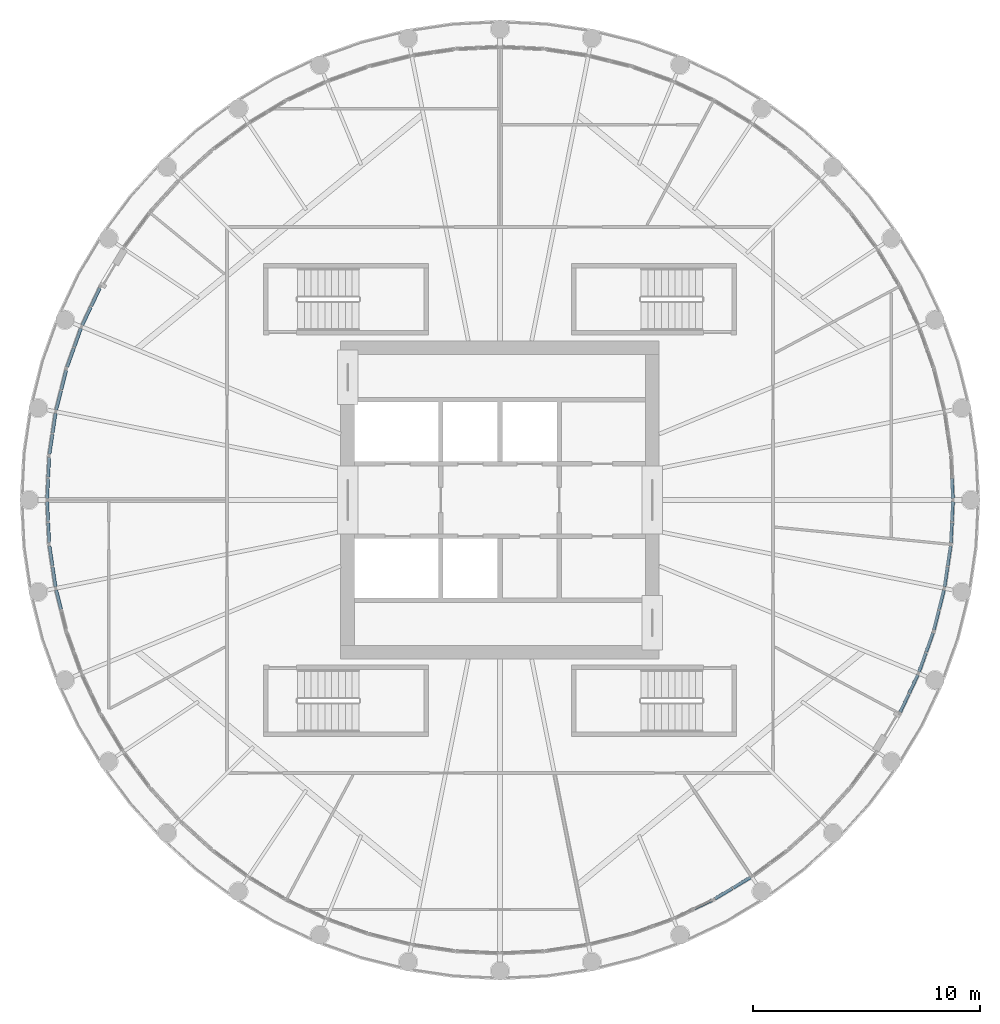
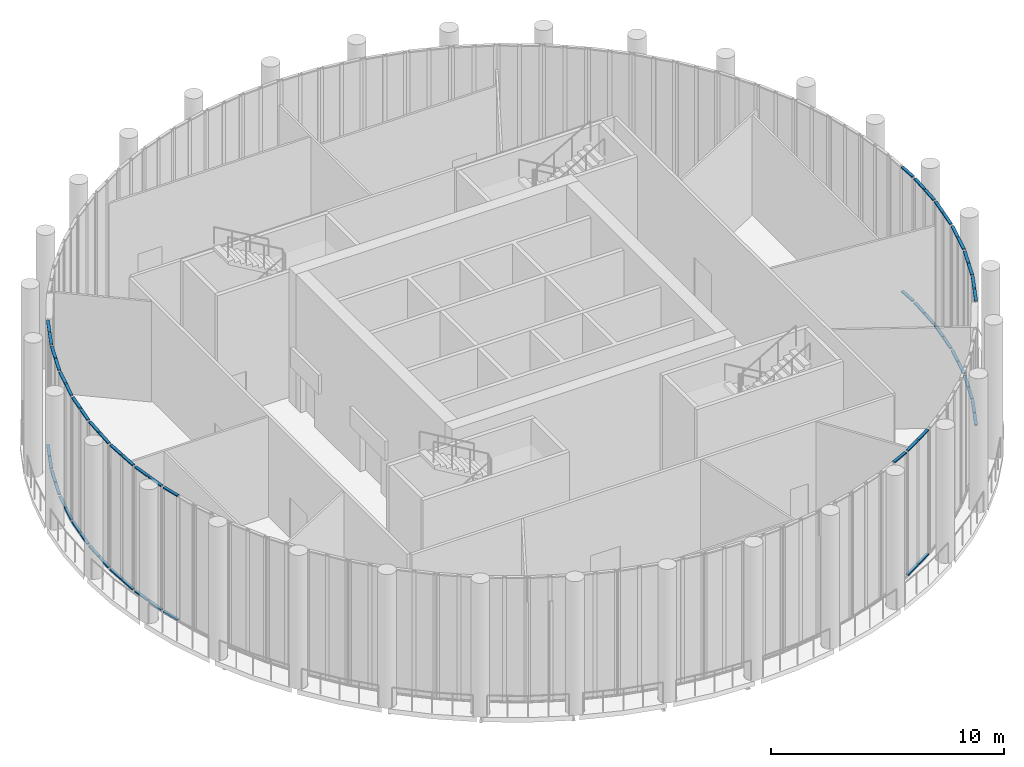
# One storey, part 10 of 21: 57 members, 16 elements without a shape of their own.
"""IFC4 building model written with IfcOpenShell, lengths in metres."""

from ifc_helpers import new_model, si_unit, direction, frame, origin, origin_2d, place, context, subcontext, project, spatial, rectangle, extrude, material, material_profile, profile_set, type_object, element, aggregate, save


model = new_model("IFC4")

# Units and contexts
model_context = context("Model", 3, precision=1e-05, world=origin(), true_north=direction((0.0, 1.0)))
body_context = subcontext(model_context, "Body", "Model", "MODEL_VIEW")
ifc_project = project(units=[si_unit("LENGTHUNIT", "METRE"), si_unit("AREAUNIT", "SQUARE_METRE"), si_unit("VOLUMEUNIT", "CUBIC_METRE"), si_unit("PLANEANGLEUNIT", "RADIAN"), si_unit("MASSUNIT", "GRAM", prefix="KILO")], contexts=[model_context])

# Site, building, storey
site_placement = place(None, origin())
site = spatial("IfcSite", under=ifc_project, at=site_placement, CompositionType="ELEMENT")
building_placement = place(site_placement, origin())
building = spatial("IfcBuilding", under=site, at=building_placement, Name="Corvane Civic Tower", CompositionType="ELEMENT")
storey_placement = place(building_placement, frame((0.0, 0.0, 380.5)))
storey = spatial("IfcBuildingStorey", under=building, at=storey_placement, Name="L91", CompositionType="ELEMENT", Elevation=380.5)

# Curtain wall, members
ifc_material_1 = material(Name="Aluminium and glass", Category="aluminium")
curtain_wall_type = type_object("IfcCurtainWallType", Name="CROWN-CW-O-RUN", PredefinedType="NOTDEFINED", material=ifc_material_1)
curtain_wall_1_placement = place(storey_placement, origin())
curtain_wall_1 = element("IfcCurtainWall", 1, at=curtain_wall_1_placement, inside=storey, type_object=curtain_wall_type, Name="CW-O run L91 12", PredefinedType="NOTDEFINED")
ifc_material_2 = material(Name="Anodised aluminium bronze", Category="aluminium")
ifc_material_profile = material_profile(ifc_material_2, rectangle(XDim=0.139892578125, YDim=0.06005859375, at=origin_2d()), Name="AL 140x60")
ifc_profile_set = profile_set([ifc_material_profile], Name="Anodised aluminium bronze")
member_type = type_object("IfcMemberType", Name="CROWN-CWO-TRANSOM-60x140", PredefinedType="USERDEFINED", material=ifc_profile_set)
member_1_placement = place(storey_placement, frame((-17.59130859375, 9.317138671875, 0.030029296875), z_axis=(-0.427604470333, -0.903965937938, 0.0), x_axis=(0.903965937938, -0.427604470333, 0.0)))
member_1 = element("IfcMember", 2, at=member_1_placement, type_object=member_type, Name="CW-O transom 1.1", ObjectType="TRANSOM", PredefinedType="USERDEFINED", context=body_context, shape_type="SweptSolid", body=[
    extrude(rectangle(XDim=0.139892578125, YDim=0.06005859375, at=origin_2d()), origin(), (0.0, 0.0, 1.0), 0.871337890625),
])
member_2_placement = place(storey_placement, frame((-17.59130859375, 9.317138671875, 6.52001953125), z_axis=(-0.427604470333, -0.903965937938, 0.0), x_axis=(0.903965937938, -0.427604470333, 0.0)))
member_2 = element("IfcMember", 3, at=member_2_placement, type_object=member_type, Name="CW-O transom 1.2", ObjectType="TRANSOM", PredefinedType="USERDEFINED", context=body_context, shape_type="SweptSolid", body=[
    extrude(rectangle(XDim=0.139892578125, YDim=0.06005859375, at=origin_2d()), origin(), (0.0, 0.0, 1.0), 0.871337890625),
])
member_3_placement = place(storey_placement, frame((-17.989501953125, 8.47509765625, 0.030029296875), z_axis=(-0.427604470333, -0.903965937938, 0.0), x_axis=(0.903965937938, -0.427604470333, 0.0)))
member_3 = element("IfcMember", 4, at=member_3_placement, type_object=member_type, Name="CW-O transom 2.1", ObjectType="TRANSOM", PredefinedType="USERDEFINED", context=body_context, shape_type="SweptSolid", body=[
    extrude(rectangle(XDim=0.139892578125, YDim=0.06005859375, at=origin_2d()), origin(), (0.0, 0.0, 1.0), 0.871337890625),
])
member_4_placement = place(storey_placement, frame((-17.989501953125, 8.47509765625, 6.52001953125), z_axis=(-0.427604470333, -0.903965937938, 0.0), x_axis=(0.903965937938, -0.427604470333, 0.0)))
member_4 = element("IfcMember", 5, at=member_4_placement, type_object=member_type, Name="CW-O transom 2.2", ObjectType="TRANSOM", PredefinedType="USERDEFINED", context=body_context, shape_type="SweptSolid", body=[
    extrude(rectangle(XDim=0.139892578125, YDim=0.06005859375, at=origin_2d()), origin(), (0.0, 0.0, 1.0), 0.871337890625),
])
aggregate(curtain_wall_1, [member_1, member_2, member_3, member_4])

curtain_wall_2_placement = place(storey_placement, origin())
curtain_wall_2 = element("IfcCurtainWall", 6, at=curtain_wall_2_placement, inside=storey, type_object=curtain_wall_type, Name="CW-O run L91 13", PredefinedType="NOTDEFINED")
member_5_placement = place(storey_placement, frame((-18.419677734375, 7.5478515625, 0.030029296875), z_axis=(-0.337081803775, -0.941475362165, 0.0), x_axis=(0.941475362165, -0.337081803775, 0.0)))
member_5 = element("IfcMember", 7, at=member_5_placement, type_object=member_type, Name="CW-O transom 1.1", ObjectType="TRANSOM", PredefinedType="USERDEFINED", context=body_context, shape_type="SweptSolid", body=[
    extrude(rectangle(XDim=0.139892578125, YDim=0.06005859375, at=origin_2d()), origin(), (0.0, 0.0, 1.0), 0.871337890625),
])
member_6_placement = place(storey_placement, frame((-18.419677734375, 7.5478515625, 6.52001953125), z_axis=(-0.337081803775, -0.941475362165, 0.0), x_axis=(0.941475362165, -0.337081803775, 0.0)))
member_6 = element("IfcMember", 8, at=member_6_placement, type_object=member_type, Name="CW-O transom 1.2", ObjectType="TRANSOM", PredefinedType="USERDEFINED", context=body_context, shape_type="SweptSolid", body=[
    extrude(rectangle(XDim=0.139892578125, YDim=0.06005859375, at=origin_2d()), origin(), (0.0, 0.0, 1.0), 0.871337890625),
])
member_7_placement = place(storey_placement, frame((-18.733642578125, 6.671142578125, 0.030029296875), z_axis=(-0.336744552913, -0.94159604188, 0.0), x_axis=(0.94159604188, -0.336744552913, 0.0)))
member_7 = element("IfcMember", 9, at=member_7_placement, type_object=member_type, Name="CW-O transom 2.1", ObjectType="TRANSOM", PredefinedType="USERDEFINED", context=body_context, shape_type="SweptSolid", body=[
    extrude(rectangle(XDim=0.139892578125, YDim=0.06005859375, at=origin_2d()), origin(), (0.0, 0.0, 1.0), 0.871337890625),
])
member_8_placement = place(storey_placement, frame((-18.733642578125, 6.671142578125, 6.52001953125), z_axis=(-0.336744552913, -0.94159604188, 0.0), x_axis=(0.94159604188, -0.336744552913, 0.0)))
member_8 = element("IfcMember", 10, at=member_8_placement, type_object=member_type, Name="CW-O transom 2.2", ObjectType="TRANSOM", PredefinedType="USERDEFINED", context=body_context, shape_type="SweptSolid", body=[
    extrude(rectangle(XDim=0.139892578125, YDim=0.06005859375, at=origin_2d()), origin(), (0.0, 0.0, 1.0), 0.871337890625),
])
aggregate(curtain_wall_2, [member_5, member_6, member_7, member_8])

curtain_wall_3_placement = place(storey_placement, origin())
curtain_wall_3 = element("IfcCurtainWall", 11, at=curtain_wall_3_placement, inside=storey, type_object=curtain_wall_type, Name="CW-O run L91 14", PredefinedType="NOTDEFINED")
member_9_placement = place(storey_placement, frame((-19.071044921875, 5.706298828125, 0.030029296875), z_axis=(-0.242931177727, -0.970043526285, 0.0), x_axis=(0.970043526285, -0.242931177727, 0.0)))
member_9 = element("IfcMember", 12, at=member_9_placement, type_object=member_type, Name="CW-O transom 1.1", ObjectType="TRANSOM", PredefinedType="USERDEFINED", context=body_context, shape_type="SweptSolid", body=[
    extrude(rectangle(XDim=0.139892578125, YDim=0.06005859375, at=origin_2d()), origin(), (0.0, 0.0, 1.0), 0.871337890625),
])
member_10_placement = place(storey_placement, frame((-19.071044921875, 5.706298828125, 6.52001953125), z_axis=(-0.242931177727, -0.970043526285, 0.0), x_axis=(0.970043526285, -0.242931177727, 0.0)))
member_10 = element("IfcMember", 13, at=member_10_placement, type_object=member_type, Name="CW-O transom 1.2", ObjectType="TRANSOM", PredefinedType="USERDEFINED", context=body_context, shape_type="SweptSolid", body=[
    extrude(rectangle(XDim=0.139892578125, YDim=0.06005859375, at=origin_2d()), origin(), (0.0, 0.0, 1.0), 0.871337890625),
])
member_11_placement = place(storey_placement, frame((-19.29736328125, 4.802734375, 0.030029296875), z_axis=(-0.242931177727, -0.970043526285, 0.0), x_axis=(0.970043526285, -0.242931177727, 0.0)))
member_11 = element("IfcMember", 14, at=member_11_placement, type_object=member_type, Name="CW-O transom 2.1", ObjectType="TRANSOM", PredefinedType="USERDEFINED", context=body_context, shape_type="SweptSolid", body=[
    extrude(rectangle(XDim=0.139892578125, YDim=0.06005859375, at=origin_2d()), origin(), (0.0, 0.0, 1.0), 0.871337890625),
])
member_12_placement = place(storey_placement, frame((-19.29736328125, 4.802734375, 6.52001953125), z_axis=(-0.242931177727, -0.970043526285, 0.0), x_axis=(0.970043526285, -0.242931177727, 0.0)))
member_12 = element("IfcMember", 15, at=member_12_placement, type_object=member_type, Name="CW-O transom 2.2", ObjectType="TRANSOM", PredefinedType="USERDEFINED", context=body_context, shape_type="SweptSolid", body=[
    extrude(rectangle(XDim=0.139892578125, YDim=0.06005859375, at=origin_2d()), origin(), (0.0, 0.0, 1.0), 0.871337890625),
])
aggregate(curtain_wall_3, [member_9, member_10, member_11, member_12])

curtain_wall_4_placement = place(storey_placement, origin())
curtain_wall_4 = element("IfcCurtainWall", 16, at=curtain_wall_4_placement, inside=storey, type_object=curtain_wall_type, Name="CW-O run L91 15", PredefinedType="NOTDEFINED")
member_13_placement = place(storey_placement, frame((-19.538330078125, 3.8095703125, 0.030029296875), z_axis=(-0.146792320314, -0.989167334022, 0.0), x_axis=(0.989167334022, -0.146792320314, 0.0)))
member_13 = element("IfcMember", 17, at=member_13_placement, type_object=member_type, Name="CW-O transom 1.1", ObjectType="TRANSOM", PredefinedType="USERDEFINED", context=body_context, shape_type="SweptSolid", body=[
    extrude(rectangle(XDim=0.139892578125, YDim=0.06005859375, at=origin_2d()), origin(), (0.0, 0.0, 1.0), 0.87158203125),
])
member_14_placement = place(storey_placement, frame((-19.538330078125, 3.8095703125, 6.52001953125), z_axis=(-0.146792320314, -0.989167334022, 0.0), x_axis=(0.989167334022, -0.146792320314, 0.0)))
member_14 = element("IfcMember", 18, at=member_14_placement, type_object=member_type, Name="CW-O transom 1.2", ObjectType="TRANSOM", PredefinedType="USERDEFINED", context=body_context, shape_type="SweptSolid", body=[
    extrude(rectangle(XDim=0.139892578125, YDim=0.06005859375, at=origin_2d()), origin(), (0.0, 0.0, 1.0), 0.87158203125),
])
member_15_placement = place(storey_placement, frame((-19.675048828125, 2.88818359375, 0.030029296875), z_axis=(-0.146833008112, -0.989161295103, 0.0), x_axis=(0.989161295103, -0.146833008112, 0.0)))
member_15 = element("IfcMember", 19, at=member_15_placement, type_object=member_type, Name="CW-O transom 2.1", ObjectType="TRANSOM", PredefinedType="USERDEFINED", context=body_context, shape_type="SweptSolid", body=[
    extrude(rectangle(XDim=0.139892578125, YDim=0.06005859375, at=origin_2d()), origin(), (0.0, 0.0, 1.0), 0.871337890625),
])
member_16_placement = place(storey_placement, frame((-19.675048828125, 2.88818359375, 6.52001953125), z_axis=(-0.146833008112, -0.989161295103, 0.0), x_axis=(0.989161295103, -0.146833008112, 0.0)))
member_16 = element("IfcMember", 20, at=member_16_placement, type_object=member_type, Name="CW-O transom 2.2", ObjectType="TRANSOM", PredefinedType="USERDEFINED", context=body_context, shape_type="SweptSolid", body=[
    extrude(rectangle(XDim=0.139892578125, YDim=0.06005859375, at=origin_2d()), origin(), (0.0, 0.0, 1.0), 0.871337890625),
])
aggregate(curtain_wall_4, [member_13, member_14, member_15, member_16])

curtain_wall_5_placement = place(storey_placement, origin())
curtain_wall_5 = element("IfcCurtainWall", 21, at=curtain_wall_5_placement, inside=storey, type_object=curtain_wall_type, Name="CW-O run L91 16", PredefinedType="NOTDEFINED")
member_17_placement = place(storey_placement, frame((-19.81787109375, 1.876220703125, 0.030029296875), z_axis=(-0.04902932242, -0.998797339575, 0.0), x_axis=(0.998797339575, -0.04902932242, 0.0)))
member_17 = element("IfcMember", 22, at=member_17_placement, type_object=member_type, Name="CW-O transom 1.1", ObjectType="TRANSOM", PredefinedType="USERDEFINED", context=body_context, shape_type="SweptSolid", body=[
    extrude(rectangle(XDim=0.139892578125, YDim=0.06005859375, at=origin_2d()), origin(), (0.0, 0.0, 1.0), 0.871337890625),
])
member_18_placement = place(storey_placement, frame((-19.81787109375, 1.876220703125, 6.52001953125), z_axis=(-0.04902932242, -0.998797339575, 0.0), x_axis=(0.998797339575, -0.04902932242, 0.0)))
member_18 = element("IfcMember", 23, at=member_18_placement, type_object=member_type, Name="CW-O transom 1.2", ObjectType="TRANSOM", PredefinedType="USERDEFINED", context=body_context, shape_type="SweptSolid", body=[
    extrude(rectangle(XDim=0.139892578125, YDim=0.06005859375, at=origin_2d()), origin(), (0.0, 0.0, 1.0), 0.871337890625),
])
member_19_placement = place(storey_placement, frame((-19.863525390625, 0.94580078125, 0.030029296875), z_axis=(-0.04902932242, -0.998797339575, 0.0), x_axis=(0.998797339575, -0.04902932242, 0.0)))
member_19 = element("IfcMember", 24, at=member_19_placement, type_object=member_type, Name="CW-O transom 2.1", ObjectType="TRANSOM", PredefinedType="USERDEFINED", context=body_context, shape_type="SweptSolid", body=[
    extrude(rectangle(XDim=0.139892578125, YDim=0.06005859375, at=origin_2d()), origin(), (0.0, 0.0, 1.0), 0.871337890625),
])
member_20_placement = place(storey_placement, frame((-19.863525390625, 0.94580078125, 6.52001953125), z_axis=(-0.04902932242, -0.998797339575, 0.0), x_axis=(0.998797339575, -0.04902932242, 0.0)))
member_20 = element("IfcMember", 25, at=member_20_placement, type_object=member_type, Name="CW-O transom 2.2", ObjectType="TRANSOM", PredefinedType="USERDEFINED", context=body_context, shape_type="SweptSolid", body=[
    extrude(rectangle(XDim=0.139892578125, YDim=0.06005859375, at=origin_2d()), origin(), (0.0, 0.0, 1.0), 0.871337890625),
])
aggregate(curtain_wall_5, [member_17, member_18, member_19, member_20])

curtain_wall_6_placement = place(storey_placement, origin())
curtain_wall_6 = element("IfcCurtainWall", 26, at=curtain_wall_6_placement, inside=storey, type_object=curtain_wall_type, Name="CW-O run L91 17", PredefinedType="NOTDEFINED")
member_21_placement = place(storey_placement, frame((-19.90625, -0.075439453125, 0.030029296875), z_axis=(0.04902932242, -0.998797339575, 0.0), x_axis=(0.998797339575, 0.04902932242, 0.0)))
member_21 = element("IfcMember", 27, at=member_21_placement, type_object=member_type, Name="CW-O transom 1.1", ObjectType="TRANSOM", PredefinedType="USERDEFINED", context=body_context, shape_type="SweptSolid", body=[
    extrude(rectangle(XDim=0.139892578125, YDim=0.06005859375, at=origin_2d()), origin(), (0.0, 0.0, 1.0), 0.871337890625),
])
member_22_placement = place(storey_placement, frame((-19.90625, -0.075439453125, 6.52001953125), z_axis=(0.04902932242, -0.998797339575, 0.0), x_axis=(0.998797339575, 0.04902932242, 0.0)))
member_22 = element("IfcMember", 28, at=member_22_placement, type_object=member_type, Name="CW-O transom 1.2", ObjectType="TRANSOM", PredefinedType="USERDEFINED", context=body_context, shape_type="SweptSolid", body=[
    extrude(rectangle(XDim=0.139892578125, YDim=0.06005859375, at=origin_2d()), origin(), (0.0, 0.0, 1.0), 0.871337890625),
])
member_23_placement = place(storey_placement, frame((-19.860595703125, -1.005859375, 0.030029296875), z_axis=(0.04902932242, -0.998797339575, 0.0), x_axis=(0.998797339575, 0.04902932242, 0.0)))
member_23 = element("IfcMember", 29, at=member_23_placement, type_object=member_type, Name="CW-O transom 2.1", ObjectType="TRANSOM", PredefinedType="USERDEFINED", context=body_context, shape_type="SweptSolid", body=[
    extrude(rectangle(XDim=0.139892578125, YDim=0.06005859375, at=origin_2d()), origin(), (0.0, 0.0, 1.0), 0.871337890625),
])
member_24_placement = place(storey_placement, frame((-19.860595703125, -1.005859375, 6.52001953125), z_axis=(0.04902932242, -0.998797339575, 0.0), x_axis=(0.998797339575, 0.04902932242, 0.0)))
member_24 = element("IfcMember", 30, at=member_24_placement, type_object=member_type, Name="CW-O transom 2.2", ObjectType="TRANSOM", PredefinedType="USERDEFINED", context=body_context, shape_type="SweptSolid", body=[
    extrude(rectangle(XDim=0.139892578125, YDim=0.06005859375, at=origin_2d()), origin(), (0.0, 0.0, 1.0), 0.871337890625),
])
aggregate(curtain_wall_6, [member_21, member_22, member_23, member_24])

curtain_wall_7_placement = place(storey_placement, origin())
curtain_wall_7 = element("IfcCurtainWall", 31, at=curtain_wall_7_placement, inside=storey, type_object=curtain_wall_type, Name="CW-O run L91 18", PredefinedType="NOTDEFINED")
member_25_placement = place(storey_placement, frame((-19.802978515625, -2.0263671875, 0.030029296875), z_axis=(0.146833008112, -0.989161295103, 0.0), x_axis=(0.989161295103, 0.146833008112, 0.0)))
member_25 = element("IfcMember", 32, at=member_25_placement, type_object=member_type, Name="CW-O transom 1.1", ObjectType="TRANSOM", PredefinedType="USERDEFINED", context=body_context, shape_type="SweptSolid", body=[
    extrude(rectangle(XDim=0.139892578125, YDim=0.06005859375, at=origin_2d()), origin(), (0.0, 0.0, 1.0), 0.871337890625),
])
member_26_placement = place(storey_placement, frame((-19.802978515625, -2.0263671875, 6.52001953125), z_axis=(0.146833008112, -0.989161295103, 0.0), x_axis=(0.989161295103, 0.146833008112, 0.0)))
member_26 = element("IfcMember", 33, at=member_26_placement, type_object=member_type, Name="CW-O transom 1.2", ObjectType="TRANSOM", PredefinedType="USERDEFINED", context=body_context, shape_type="SweptSolid", body=[
    extrude(rectangle(XDim=0.139892578125, YDim=0.06005859375, at=origin_2d()), origin(), (0.0, 0.0, 1.0), 0.871337890625),
])
member_27_placement = place(storey_placement, frame((-19.666259765625, -2.947509765625, 0.030029296875), z_axis=(0.146792320314, -0.989167334022, 0.0), x_axis=(0.989167334022, 0.146792320314, 0.0)))
member_27 = element("IfcMember", 34, at=member_27_placement, type_object=member_type, Name="CW-O transom 2.1", ObjectType="TRANSOM", PredefinedType="USERDEFINED", context=body_context, shape_type="SweptSolid", body=[
    extrude(rectangle(XDim=0.139892578125, YDim=0.06005859375, at=origin_2d()), origin(), (0.0, 0.0, 1.0), 0.87158203125),
])
member_28_placement = place(storey_placement, frame((-19.666259765625, -2.947509765625, 6.52001953125), z_axis=(0.146792320314, -0.989167334022, 0.0), x_axis=(0.989167334022, 0.146792320314, 0.0)))
member_28 = element("IfcMember", 35, at=member_28_placement, type_object=member_type, Name="CW-O transom 2.2", ObjectType="TRANSOM", PredefinedType="USERDEFINED", context=body_context, shape_type="SweptSolid", body=[
    extrude(rectangle(XDim=0.139892578125, YDim=0.06005859375, at=origin_2d()), origin(), (0.0, 0.0, 1.0), 0.87158203125),
])
aggregate(curtain_wall_7, [member_25, member_26, member_27, member_28])

curtain_wall_8_placement = place(storey_placement, origin())
curtain_wall_8 = element("IfcCurtainWall", 36, at=curtain_wall_8_placement, inside=storey, type_object=curtain_wall_type, Name="CW-O run L91 19", PredefinedType="NOTDEFINED")
member_29_placement = place(storey_placement, frame((-19.509033203125, -3.95751953125, 0.030029296875), z_axis=(0.242931177727, -0.970043526285, 0.0), x_axis=(0.970043526285, 0.242931177727, 0.0)))
member_29 = element("IfcMember", 37, at=member_29_placement, type_object=member_type, Name="CW-O transom 1.1", ObjectType="TRANSOM", PredefinedType="USERDEFINED", context=body_context, shape_type="SweptSolid", body=[
    extrude(rectangle(XDim=0.139892578125, YDim=0.06005859375, at=origin_2d()), origin(), (0.0, 0.0, 1.0), 0.871337890625),
])
member_30_placement = place(storey_placement, frame((-19.509033203125, -3.95751953125, 6.52001953125), z_axis=(0.242931177727, -0.970043526285, 0.0), x_axis=(0.970043526285, 0.242931177727, 0.0)))
member_30 = element("IfcMember", 38, at=member_30_placement, type_object=member_type, Name="CW-O transom 1.2", ObjectType="TRANSOM", PredefinedType="USERDEFINED", context=body_context, shape_type="SweptSolid", body=[
    extrude(rectangle(XDim=0.139892578125, YDim=0.06005859375, at=origin_2d()), origin(), (0.0, 0.0, 1.0), 0.871337890625),
])
aggregate(curtain_wall_8, [member_29, member_30])

# Curtain wall, member
curtain_wall_9_placement = place(storey_placement, origin())
curtain_wall_9 = element("IfcCurtainWall", 39, at=curtain_wall_9_placement, inside=storey, type_object=curtain_wall_type, Name="CW-O run L91 37", PredefinedType="NOTDEFINED")
member_31_placement = place(storey_placement, frame((8.529541015625, -17.9638671875, 6.52001953125), z_axis=(0.903965937938, 0.427604470333, 0.0), x_axis=(-0.427604470333, 0.903965937938, 0.0)))
member_31 = element("IfcMember", 40, at=member_31_placement, type_object=member_type, Name="CW-O transom 2.2", ObjectType="TRANSOM", PredefinedType="USERDEFINED", context=body_context, shape_type="SweptSolid", body=[
    extrude(rectangle(XDim=0.139892578125, YDim=0.06005859375, at=origin_2d()), origin(), (0.0, 0.0, 1.0), 0.871337890625),
])
aggregate(curtain_wall_9, [member_31])

# Curtain wall, members
curtain_wall_10_placement = place(storey_placement, origin())
curtain_wall_10 = element("IfcCurtainWall", 41, at=curtain_wall_10_placement, inside=storey, type_object=curtain_wall_type, Name="CW-O run L91 38", PredefinedType="NOTDEFINED")
member_32_placement = place(storey_placement, frame((9.450439453125, -17.520263671875, 0.030029296875), z_axis=(0.857690650227, 0.514166070946, 0.0), x_axis=(-0.514166070946, 0.857690650227, 0.0)))
member_32 = element("IfcMember", 42, at=member_32_placement, type_object=member_type, Name="CW-O transom 1.1", ObjectType="TRANSOM", PredefinedType="USERDEFINED", context=body_context, shape_type="SweptSolid", body=[
    extrude(rectangle(XDim=0.139892578125, YDim=0.06005859375, at=origin_2d()), origin(), (0.0, 0.0, 1.0), 0.871337890625),
])
member_33_placement = place(storey_placement, frame((9.450439453125, -17.520263671875, 6.52001953125), z_axis=(0.857690650227, 0.514166070946, 0.0), x_axis=(-0.514166070946, 0.857690650227, 0.0)))
member_33 = element("IfcMember", 43, at=member_33_placement, type_object=member_type, Name="CW-O transom 1.2", ObjectType="TRANSOM", PredefinedType="USERDEFINED", context=body_context, shape_type="SweptSolid", body=[
    extrude(rectangle(XDim=0.139892578125, YDim=0.06005859375, at=origin_2d()), origin(), (0.0, 0.0, 1.0), 0.871337890625),
])
member_34_placement = place(storey_placement, frame((10.2490234375, -17.041259765625, 0.030029296875), z_axis=(0.857690650227, 0.514166070946, 0.0), x_axis=(-0.514166070946, 0.857690650227, 0.0)))
member_34 = element("IfcMember", 44, at=member_34_placement, type_object=member_type, Name="CW-O transom 2.1", ObjectType="TRANSOM", PredefinedType="USERDEFINED", context=body_context, shape_type="SweptSolid", body=[
    extrude(rectangle(XDim=0.139892578125, YDim=0.06005859375, at=origin_2d()), origin(), (0.0, 0.0, 1.0), 0.871337890625),
])
member_35_placement = place(storey_placement, frame((10.2490234375, -17.041259765625, 6.52001953125), z_axis=(0.857690650227, 0.514166070946, 0.0), x_axis=(-0.514166070946, 0.857690650227, 0.0)))
member_35 = element("IfcMember", 45, at=member_35_placement, type_object=member_type, Name="CW-O transom 2.2", ObjectType="TRANSOM", PredefinedType="USERDEFINED", context=body_context, shape_type="SweptSolid", body=[
    extrude(rectangle(XDim=0.139892578125, YDim=0.06005859375, at=origin_2d()), origin(), (0.0, 0.0, 1.0), 0.871337890625),
])
aggregate(curtain_wall_10, [member_32, member_33, member_34, member_35])

curtain_wall_11_placement = place(storey_placement, origin())
curtain_wall_11 = element("IfcCurtainWall", 46, at=curtain_wall_11_placement, inside=storey, type_object=curtain_wall_type, Name="CW-O run L91 44", PredefinedType="NOTDEFINED")
member_36_placement = place(storey_placement, frame((17.59130859375, -9.317138671875, 0.030029296875), z_axis=(0.427604470333, 0.903965937938, 0.0), x_axis=(-0.903965937938, 0.427604470333, 0.0)))
member_36 = element("IfcMember", 47, at=member_36_placement, type_object=member_type, Name="CW-O transom 1.1", ObjectType="TRANSOM", PredefinedType="USERDEFINED", context=body_context, shape_type="SweptSolid", body=[
    extrude(rectangle(XDim=0.139892578125, YDim=0.06005859375, at=origin_2d()), origin(), (0.0, 0.0, 1.0), 0.871337890625),
])
member_37_placement = place(storey_placement, frame((17.59130859375, -9.317138671875, 6.52001953125), z_axis=(0.427604470333, 0.903965937938, 0.0), x_axis=(-0.903965937938, 0.427604470333, 0.0)))
member_37 = element("IfcMember", 48, at=member_37_placement, type_object=member_type, Name="CW-O transom 1.2", ObjectType="TRANSOM", PredefinedType="USERDEFINED", context=body_context, shape_type="SweptSolid", body=[
    extrude(rectangle(XDim=0.139892578125, YDim=0.06005859375, at=origin_2d()), origin(), (0.0, 0.0, 1.0), 0.871337890625),
])
member_38_placement = place(storey_placement, frame((17.989501953125, -8.47509765625, 0.030029296875), z_axis=(0.427604470333, 0.903965937938, 0.0), x_axis=(-0.903965937938, 0.427604470333, 0.0)))
member_38 = element("IfcMember", 49, at=member_38_placement, type_object=member_type, Name="CW-O transom 2.1", ObjectType="TRANSOM", PredefinedType="USERDEFINED", context=body_context, shape_type="SweptSolid", body=[
    extrude(rectangle(XDim=0.139892578125, YDim=0.06005859375, at=origin_2d()), origin(), (0.0, 0.0, 1.0), 0.871337890625),
])
member_39_placement = place(storey_placement, frame((17.989501953125, -8.47509765625, 6.52001953125), z_axis=(0.427604470333, 0.903965937938, 0.0), x_axis=(-0.903965937938, 0.427604470333, 0.0)))
member_39 = element("IfcMember", 50, at=member_39_placement, type_object=member_type, Name="CW-O transom 2.2", ObjectType="TRANSOM", PredefinedType="USERDEFINED", context=body_context, shape_type="SweptSolid", body=[
    extrude(rectangle(XDim=0.139892578125, YDim=0.06005859375, at=origin_2d()), origin(), (0.0, 0.0, 1.0), 0.871337890625),
])
aggregate(curtain_wall_11, [member_36, member_37, member_38, member_39])

curtain_wall_12_placement = place(storey_placement, origin())
curtain_wall_12 = element("IfcCurtainWall", 51, at=curtain_wall_12_placement, inside=storey, type_object=curtain_wall_type, Name="CW-O run L91 45", PredefinedType="NOTDEFINED")
member_40_placement = place(storey_placement, frame((18.419677734375, -7.5478515625, 0.030029296875), z_axis=(0.337081803775, 0.941475362165, 0.0), x_axis=(-0.941475362165, 0.337081803775, 0.0)))
member_40 = element("IfcMember", 52, at=member_40_placement, type_object=member_type, Name="CW-O transom 1.1", ObjectType="TRANSOM", PredefinedType="USERDEFINED", context=body_context, shape_type="SweptSolid", body=[
    extrude(rectangle(XDim=0.139892578125, YDim=0.06005859375, at=origin_2d()), origin(), (0.0, 0.0, 1.0), 0.871337890625),
])
member_41_placement = place(storey_placement, frame((18.419677734375, -7.5478515625, 6.52001953125), z_axis=(0.337081803775, 0.941475362165, 0.0), x_axis=(-0.941475362165, 0.337081803775, 0.0)))
member_41 = element("IfcMember", 53, at=member_41_placement, type_object=member_type, Name="CW-O transom 1.2", ObjectType="TRANSOM", PredefinedType="USERDEFINED", context=body_context, shape_type="SweptSolid", body=[
    extrude(rectangle(XDim=0.139892578125, YDim=0.06005859375, at=origin_2d()), origin(), (0.0, 0.0, 1.0), 0.871337890625),
])
member_42_placement = place(storey_placement, frame((18.733642578125, -6.671142578125, 0.030029296875), z_axis=(0.336744552913, 0.94159604188, 0.0), x_axis=(-0.94159604188, 0.336744552913, 0.0)))
member_42 = element("IfcMember", 54, at=member_42_placement, type_object=member_type, Name="CW-O transom 2.1", ObjectType="TRANSOM", PredefinedType="USERDEFINED", context=body_context, shape_type="SweptSolid", body=[
    extrude(rectangle(XDim=0.139892578125, YDim=0.06005859375, at=origin_2d()), origin(), (0.0, 0.0, 1.0), 0.871337890625),
])
member_43_placement = place(storey_placement, frame((18.733642578125, -6.671142578125, 6.52001953125), z_axis=(0.336744552913, 0.94159604188, 0.0), x_axis=(-0.94159604188, 0.336744552913, 0.0)))
member_43 = element("IfcMember", 55, at=member_43_placement, type_object=member_type, Name="CW-O transom 2.2", ObjectType="TRANSOM", PredefinedType="USERDEFINED", context=body_context, shape_type="SweptSolid", body=[
    extrude(rectangle(XDim=0.139892578125, YDim=0.06005859375, at=origin_2d()), origin(), (0.0, 0.0, 1.0), 0.871337890625),
])
aggregate(curtain_wall_12, [member_40, member_41, member_42, member_43])

curtain_wall_13_placement = place(storey_placement, origin())
curtain_wall_13 = element("IfcCurtainWall", 56, at=curtain_wall_13_placement, inside=storey, type_object=curtain_wall_type, Name="CW-O run L91 46", PredefinedType="NOTDEFINED")
member_44_placement = place(storey_placement, frame((19.071044921875, -5.706298828125, 0.030029296875), z_axis=(0.242931177727, 0.970043526285, 0.0), x_axis=(-0.970043526285, 0.242931177727, 0.0)))
member_44 = element("IfcMember", 57, at=member_44_placement, type_object=member_type, Name="CW-O transom 1.1", ObjectType="TRANSOM", PredefinedType="USERDEFINED", context=body_context, shape_type="SweptSolid", body=[
    extrude(rectangle(XDim=0.139892578125, YDim=0.06005859375, at=origin_2d()), origin(), (0.0, 0.0, 1.0), 0.871337890625),
])
member_45_placement = place(storey_placement, frame((19.071044921875, -5.706298828125, 6.52001953125), z_axis=(0.242931177727, 0.970043526285, 0.0), x_axis=(-0.970043526285, 0.242931177727, 0.0)))
member_45 = element("IfcMember", 58, at=member_45_placement, type_object=member_type, Name="CW-O transom 1.2", ObjectType="TRANSOM", PredefinedType="USERDEFINED", context=body_context, shape_type="SweptSolid", body=[
    extrude(rectangle(XDim=0.139892578125, YDim=0.06005859375, at=origin_2d()), origin(), (0.0, 0.0, 1.0), 0.871337890625),
])
member_46_placement = place(storey_placement, frame((19.29736328125, -4.802734375, 0.030029296875), z_axis=(0.242931177727, 0.970043526285, 0.0), x_axis=(-0.970043526285, 0.242931177727, 0.0)))
member_46 = element("IfcMember", 59, at=member_46_placement, type_object=member_type, Name="CW-O transom 2.1", ObjectType="TRANSOM", PredefinedType="USERDEFINED", context=body_context, shape_type="SweptSolid", body=[
    extrude(rectangle(XDim=0.139892578125, YDim=0.06005859375, at=origin_2d()), origin(), (0.0, 0.0, 1.0), 0.871337890625),
])
member_47_placement = place(storey_placement, frame((19.29736328125, -4.802734375, 6.52001953125), z_axis=(0.242931177727, 0.970043526285, 0.0), x_axis=(-0.970043526285, 0.242931177727, 0.0)))
member_47 = element("IfcMember", 60, at=member_47_placement, type_object=member_type, Name="CW-O transom 2.2", ObjectType="TRANSOM", PredefinedType="USERDEFINED", context=body_context, shape_type="SweptSolid", body=[
    extrude(rectangle(XDim=0.139892578125, YDim=0.06005859375, at=origin_2d()), origin(), (0.0, 0.0, 1.0), 0.871337890625),
])
aggregate(curtain_wall_13, [member_44, member_45, member_46, member_47])

curtain_wall_14_placement = place(storey_placement, origin())
curtain_wall_14 = element("IfcCurtainWall", 61, at=curtain_wall_14_placement, inside=storey, type_object=curtain_wall_type, Name="CW-O run L91 47", PredefinedType="NOTDEFINED")
member_48_placement = place(storey_placement, frame((19.538330078125, -3.8095703125, 0.030029296875), z_axis=(0.146792320314, 0.989167334022, 0.0), x_axis=(-0.989167334022, 0.146792320314, 0.0)))
member_48 = element("IfcMember", 62, at=member_48_placement, type_object=member_type, Name="CW-O transom 1.1", ObjectType="TRANSOM", PredefinedType="USERDEFINED", context=body_context, shape_type="SweptSolid", body=[
    extrude(rectangle(XDim=0.139892578125, YDim=0.06005859375, at=origin_2d()), origin(), (0.0, 0.0, 1.0), 0.87158203125),
])
member_49_placement = place(storey_placement, frame((19.538330078125, -3.8095703125, 6.52001953125), z_axis=(0.146792320314, 0.989167334022, 0.0), x_axis=(-0.989167334022, 0.146792320314, 0.0)))
member_49 = element("IfcMember", 63, at=member_49_placement, type_object=member_type, Name="CW-O transom 1.2", ObjectType="TRANSOM", PredefinedType="USERDEFINED", context=body_context, shape_type="SweptSolid", body=[
    extrude(rectangle(XDim=0.139892578125, YDim=0.06005859375, at=origin_2d()), origin(), (0.0, 0.0, 1.0), 0.87158203125),
])
member_50_placement = place(storey_placement, frame((19.675048828125, -2.88818359375, 0.030029296875), z_axis=(0.146833008112, 0.989161295103, 0.0), x_axis=(-0.989161295103, 0.146833008112, 0.0)))
member_50 = element("IfcMember", 64, at=member_50_placement, type_object=member_type, Name="CW-O transom 2.1", ObjectType="TRANSOM", PredefinedType="USERDEFINED", context=body_context, shape_type="SweptSolid", body=[
    extrude(rectangle(XDim=0.139892578125, YDim=0.06005859375, at=origin_2d()), origin(), (0.0, 0.0, 1.0), 0.871337890625),
])
member_51_placement = place(storey_placement, frame((19.675048828125, -2.88818359375, 6.52001953125), z_axis=(0.146833008112, 0.989161295103, 0.0), x_axis=(-0.989161295103, 0.146833008112, 0.0)))
member_51 = element("IfcMember", 65, at=member_51_placement, type_object=member_type, Name="CW-O transom 2.2", ObjectType="TRANSOM", PredefinedType="USERDEFINED", context=body_context, shape_type="SweptSolid", body=[
    extrude(rectangle(XDim=0.139892578125, YDim=0.06005859375, at=origin_2d()), origin(), (0.0, 0.0, 1.0), 0.871337890625),
])
aggregate(curtain_wall_14, [member_48, member_49, member_50, member_51])

curtain_wall_15_placement = place(storey_placement, origin())
curtain_wall_15 = element("IfcCurtainWall", 66, at=curtain_wall_15_placement, inside=storey, type_object=curtain_wall_type, Name="CW-O run L91 48", PredefinedType="NOTDEFINED")
member_52_placement = place(storey_placement, frame((19.81787109375, -1.876220703125, 0.030029296875), z_axis=(0.04902932242, 0.998797339575, 0.0), x_axis=(-0.998797339575, 0.04902932242, 0.0)))
member_52 = element("IfcMember", 67, at=member_52_placement, type_object=member_type, Name="CW-O transom 1.1", ObjectType="TRANSOM", PredefinedType="USERDEFINED", context=body_context, shape_type="SweptSolid", body=[
    extrude(rectangle(XDim=0.139892578125, YDim=0.06005859375, at=origin_2d()), origin(), (0.0, 0.0, 1.0), 0.871337890625),
])
member_53_placement = place(storey_placement, frame((19.81787109375, -1.876220703125, 6.52001953125), z_axis=(0.04902932242, 0.998797339575, 0.0), x_axis=(-0.998797339575, 0.04902932242, 0.0)))
member_53 = element("IfcMember", 68, at=member_53_placement, type_object=member_type, Name="CW-O transom 1.2", ObjectType="TRANSOM", PredefinedType="USERDEFINED", context=body_context, shape_type="SweptSolid", body=[
    extrude(rectangle(XDim=0.139892578125, YDim=0.06005859375, at=origin_2d()), origin(), (0.0, 0.0, 1.0), 0.871337890625),
])
member_54_placement = place(storey_placement, frame((19.863525390625, -0.94580078125, 0.030029296875), z_axis=(0.04902932242, 0.998797339575, 0.0), x_axis=(-0.998797339575, 0.04902932242, 0.0)))
member_54 = element("IfcMember", 69, at=member_54_placement, type_object=member_type, Name="CW-O transom 2.1", ObjectType="TRANSOM", PredefinedType="USERDEFINED", context=body_context, shape_type="SweptSolid", body=[
    extrude(rectangle(XDim=0.139892578125, YDim=0.06005859375, at=origin_2d()), origin(), (0.0, 0.0, 1.0), 0.871337890625),
])
member_55_placement = place(storey_placement, frame((19.863525390625, -0.94580078125, 6.52001953125), z_axis=(0.04902932242, 0.998797339575, 0.0), x_axis=(-0.998797339575, 0.04902932242, 0.0)))
member_55 = element("IfcMember", 70, at=member_55_placement, type_object=member_type, Name="CW-O transom 2.2", ObjectType="TRANSOM", PredefinedType="USERDEFINED", context=body_context, shape_type="SweptSolid", body=[
    extrude(rectangle(XDim=0.139892578125, YDim=0.06005859375, at=origin_2d()), origin(), (0.0, 0.0, 1.0), 0.871337890625),
])
aggregate(curtain_wall_15, [member_52, member_53, member_54, member_55])

curtain_wall_16_placement = place(storey_placement, origin())
curtain_wall_16 = element("IfcCurtainWall", 71, at=curtain_wall_16_placement, inside=storey, type_object=curtain_wall_type, Name="CW-O run L91 49", PredefinedType="NOTDEFINED")
member_56_placement = place(storey_placement, frame((19.90625, 0.075439453125, 0.030029296875), z_axis=(-0.04902932242, 0.998797339575, 0.0), x_axis=(-0.998797339575, -0.04902932242, 0.0)))
member_56 = element("IfcMember", 72, at=member_56_placement, type_object=member_type, Name="CW-O transom 1.1", ObjectType="TRANSOM", PredefinedType="USERDEFINED", context=body_context, shape_type="SweptSolid", body=[
    extrude(rectangle(XDim=0.139892578125, YDim=0.06005859375, at=origin_2d()), origin(), (0.0, 0.0, 1.0), 0.871337890625),
])
member_57_placement = place(storey_placement, frame((19.90625, 0.075439453125, 6.52001953125), z_axis=(-0.04902932242, 0.998797339575, 0.0), x_axis=(-0.998797339575, -0.04902932242, 0.0)))
member_57 = element("IfcMember", 73, at=member_57_placement, type_object=member_type, Name="CW-O transom 1.2", ObjectType="TRANSOM", PredefinedType="USERDEFINED", context=body_context, shape_type="SweptSolid", body=[
    extrude(rectangle(XDim=0.139892578125, YDim=0.06005859375, at=origin_2d()), origin(), (0.0, 0.0, 1.0), 0.871337890625),
])
aggregate(curtain_wall_16, [member_56, member_57])

save(model, "model.ifc")
